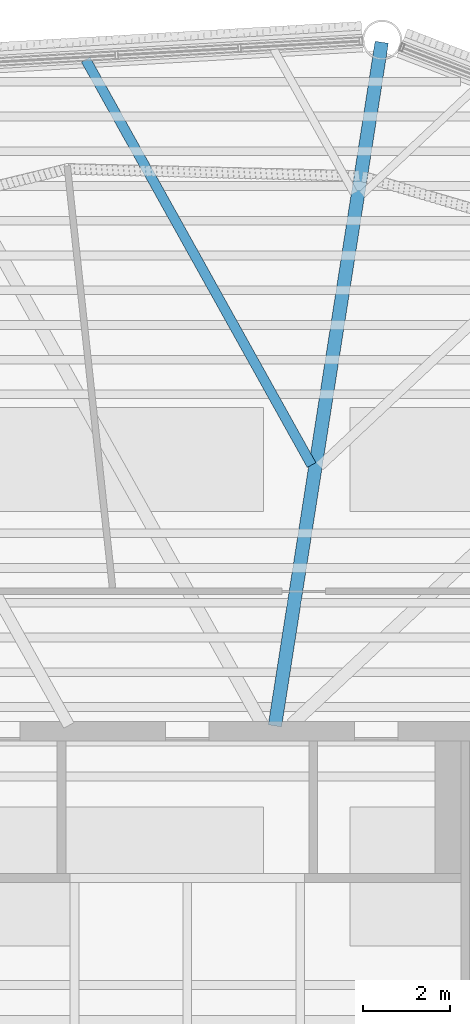
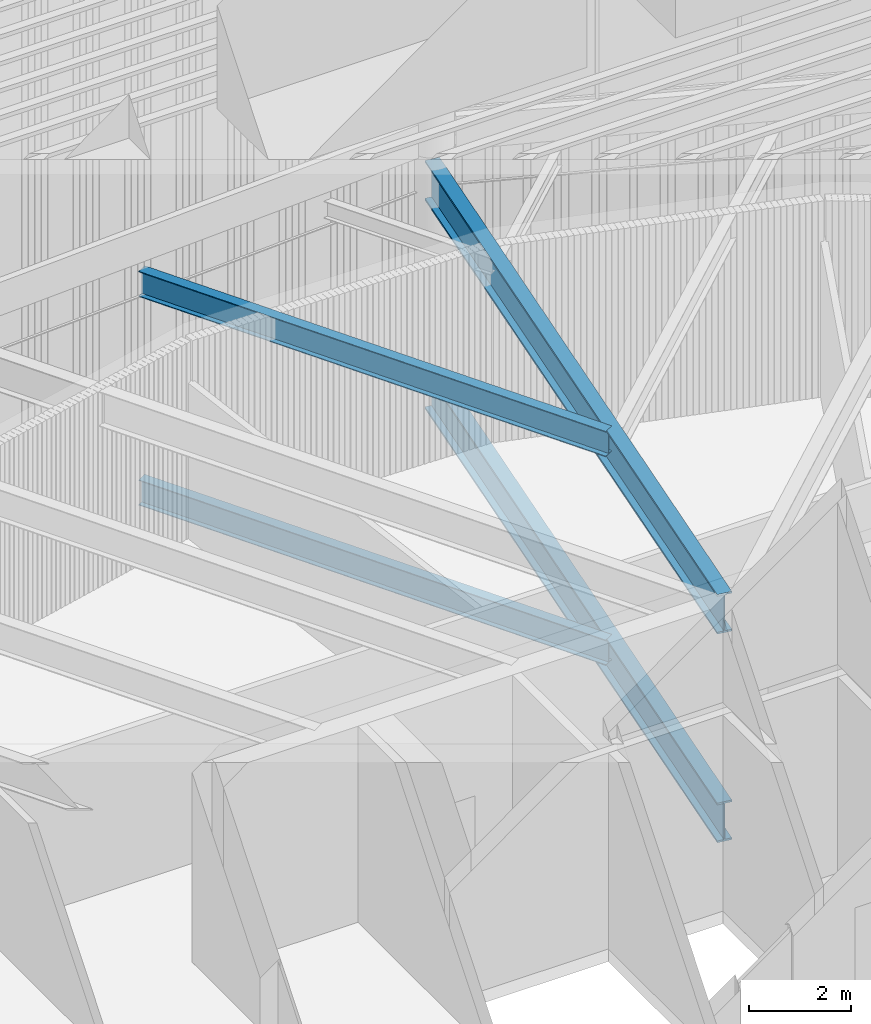
# One storey, part 52 of 117: 4 beams.
"""IFC4 building model written with IfcOpenShell, lengths in metres."""

from ifc_helpers import new_model, si_unit, direction, frame, origin, origin_2d, place, context, subcontext, project, spatial, i_section, extrude, material, material_profile, profile_set, type_object, element, save


model = new_model("IFC4")

# Units and contexts
model_context = context("Model", 3, precision=1e-05, world=origin(), true_north=direction((0.0, 1.0)))
body_context = subcontext(model_context, "Body", "Model", "MODEL_VIEW")
ifc_project = project(units=[si_unit("LENGTHUNIT", "METRE"), si_unit("AREAUNIT", "SQUARE_METRE"), si_unit("VOLUMEUNIT", "CUBIC_METRE"), si_unit("PLANEANGLEUNIT", "RADIAN"), si_unit("MASSUNIT", "GRAM", prefix="KILO")], contexts=[model_context])

# Site, building, storey
site_placement = place(None, origin())
site = spatial("IfcSite", under=ifc_project, at=site_placement, CompositionType="ELEMENT")
building_placement = place(site_placement, origin())
building = spatial("IfcBuilding", under=site, at=building_placement, Name="Tarsis Ring Headquarters", CompositionType="ELEMENT")
storey_placement = place(building_placement, frame((0.0, 0.0, 403.60009765625)))
storey = spatial("IfcBuildingStorey", under=building, at=storey_placement, Name="L95", CompositionType="ELEMENT", Elevation=403.60009765625)

# Beams
ifc_material = material(Name="Structural steel S355", Category="steel")
ifc_material_profile_1 = material_profile(ifc_material, i_section(OverallWidth=0.228271484375, OverallDepth=0.607177734375, WebThickness=0.01123046875, FlangeThickness=0.017333984375, at=origin_2d()), Name="W24x76")
ifc_profile_set_1 = profile_set([ifc_material_profile_1], Name="Structural steel S355")
beam_type_1 = type_object("IfcBeamType", Name="FB Floor beam W24x76", PredefinedType="JOIST", material=ifc_profile_set_1)
for number, where, z_axis, x_axis, name in (
    (1, (-2.34130859375, 28.245361328125, -0.603759765625), (0.486635664744, -0.87360501933, 0.0), (0.87360501933, 0.486635664744, 0.0), "Floor beam FB4"),
    (2, (-2.34130859375, 28.245361328125, 4.396240234375), (0.486635664744, -0.87360501933, 0.0), (0.87360501933, 0.486635664744, 0.0), "Floor beam FB4"),
):
    element("IfcBeam", number, at=place(storey_placement, frame(where, z_axis=z_axis, x_axis=x_axis)), inside=storey, type_object=beam_type_1, Name=name, PredefinedType="JOIST", context=body_context, shape_type="SweptSolid", body=[
        extrude(i_section(OverallWidth=0.228271484375, OverallDepth=0.607177734375, WebThickness=0.01123046875, FlangeThickness=0.017333984375, at=origin_2d()), origin(), (0.0, 0.0, 1.0), 10.6875),
    ])
ifc_material_profile_2 = material_profile(ifc_material, i_section(OverallWidth=0.309814453125, OverallDepth=0.949951171875, WebThickness=0.0244140625, FlangeThickness=0.0439453125, at=origin_2d()), Name="W36x256")
ifc_profile_set_2 = profile_set([ifc_material_profile_2], Name="Structural steel S355")
beam_type_2 = type_object("IfcBeamType", Name="FB Floor beam W36x256 spine", PredefinedType="BEAM", material=ifc_profile_set_2)
for number, where, z_axis, x_axis, name in (
    (3, (4.475341796875, 28.64501953125, -0.775146484375), (-0.15436052212, -0.988014589574, 0.0), (0.988014589574, -0.15436052212, 0.0), "Floor beam SB11"),
    (4, (4.475341796875, 28.64501953125, 4.224853515625), (-0.15436052212, -0.988014589574, 0.0), (0.988014589574, -0.15436052212, 0.0), "Floor beam SB11"),
):
    element("IfcBeam", number, at=place(storey_placement, frame(where, z_axis=z_axis, x_axis=x_axis)), inside=storey, type_object=beam_type_2, Name=name, PredefinedType="BEAM", context=body_context, shape_type="SweptSolid", body=[
        extrude(i_section(OverallWidth=0.309814453125, OverallDepth=0.949951171875, WebThickness=0.0244140625, FlangeThickness=0.0439453125, at=origin_2d()), origin(), (0.0, 0.0, 1.0), 15.934814453125),
    ])

save(model, "model.ifc")
